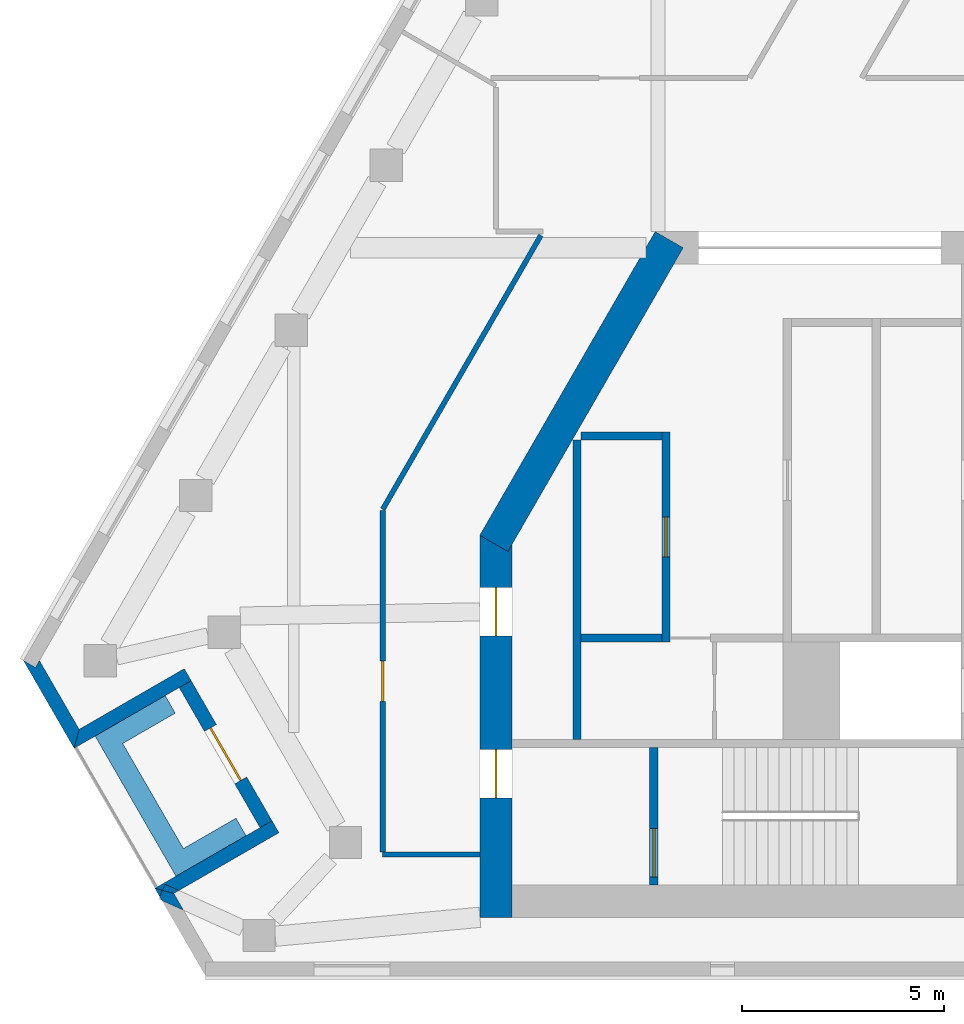
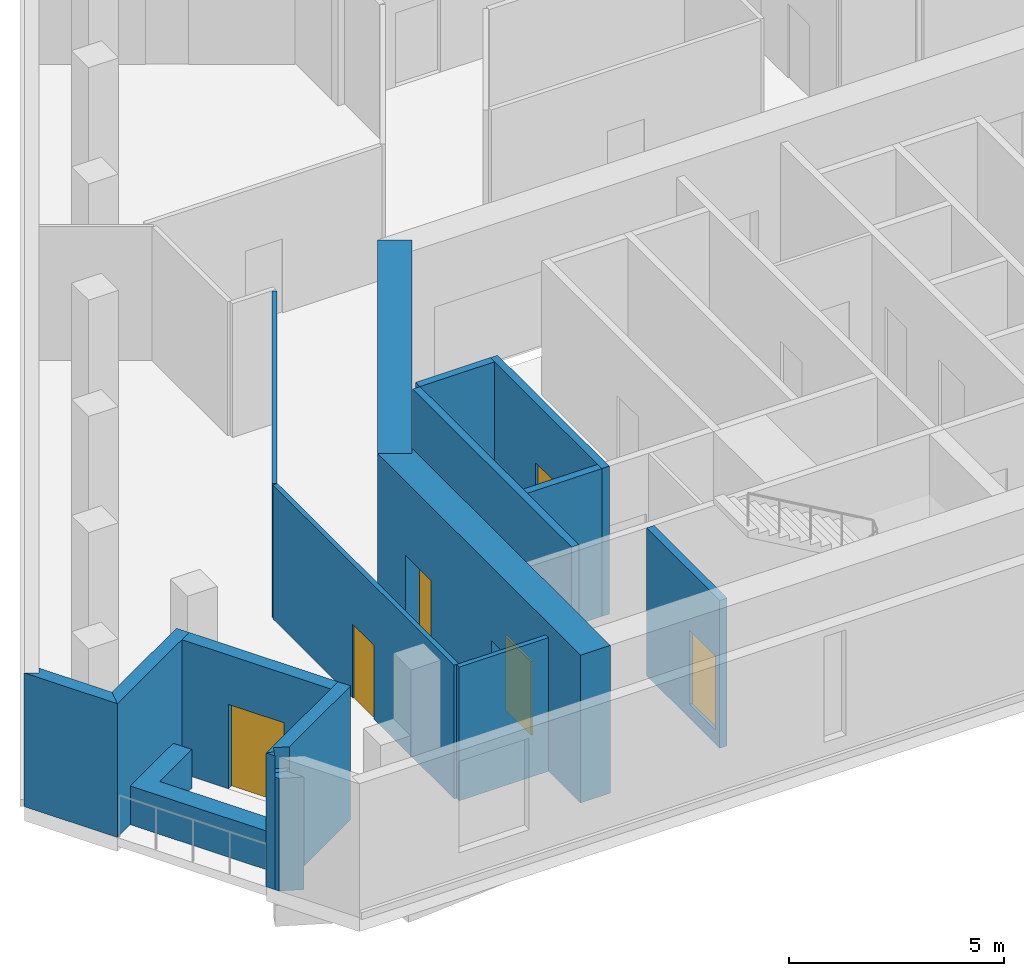
# One storey, part 2 of 8: 18 walls, 6 doors, 6 openings.
"""IFC4 building model written with IfcOpenShell, lengths in metres."""

from ifc_helpers import new_model, si_unit, direction, frame, frame_2d, origin, place, context, subcontext, project, spatial, polyline, rectangle, outline, extrude, material, layer, layer_set, type_object, element, fill, save


model = new_model("IFC4")

# Units and contexts
model_context = context("Model", 3, precision=1e-05, world=origin(), true_north=direction((0.0, 1.0)))
body_context = subcontext(model_context, "Body", "Model", "MODEL_VIEW")
ifc_project = project(units=[si_unit("LENGTHUNIT", "METRE"), si_unit("AREAUNIT", "SQUARE_METRE"), si_unit("VOLUMEUNIT", "CUBIC_METRE"), si_unit("PLANEANGLEUNIT", "RADIAN"), si_unit("MASSUNIT", "GRAM", prefix="KILO")], contexts=[model_context])

# Site, building, storey
site_placement = place(None, origin())
site = spatial("IfcSite", under=ifc_project, at=site_placement, CompositionType="ELEMENT")
building_placement = place(site_placement, origin())
building = spatial("IfcBuilding", under=site, at=building_placement, Name="Fogline Exchange Tower", CompositionType="ELEMENT")
storey_placement = place(building_placement, frame((0.0, 0.0, 309.89990234375)))
storey = spatial("IfcBuildingStorey", under=building, at=storey_placement, Name="L70", CompositionType="ELEMENT", Elevation=309.89990234375)

# Wall
ifc_material_1 = material(Name="Concrete C40", Category="concrete")
ifc_layer_1 = layer(ifc_material_1, 0.199951171875)
ifc_layer_set_1 = layer_set([ifc_layer_1], Name="CW20")
wall_type_1 = type_object("IfcWallType", Name="CW20", PredefinedType="SOLIDWALL", material=ifc_layer_set_1)
wall_1_placement = place(storey_placement, frame((-11.0, 5.85009765625, 0.0), z_axis=(0.0, 0.0, 1.0), x_axis=(0.0, 1.0, 0.0)))
element("IfcWall", 1, at=wall_1_placement, inside=storey, type_object=wall_type_1, Name="Service room wall", PredefinedType="SOLIDWALL", context=body_context, shape_type="SweptSolid", body=[
    extrude(rectangle(XDim=7.39990234375, YDim=0.199951171875, at=frame_2d((3.699951171875, 0.0))), origin(), (0.0, 0.0, 1.0), 3.800048828125),
])

# Wall, opening, door
ifc_layer_2 = layer(ifc_material_1, 0.199951171875)
ifc_layer_set_2 = layer_set([ifc_layer_2], Name="CW20R")
wall_type_2 = type_object("IfcWallType", Name="CW20R", PredefinedType="SOLIDWALL", material=ifc_layer_set_2)
wall_2_placement = place(storey_placement, frame((-9.10009765625, 2.25, -0.39990234375), z_axis=(0.0, 0.0, 1.0), x_axis=(0.0, 1.0, 0.0)))
wall_2 = element("IfcWall", 2, at=wall_2_placement, inside=storey, type_object=wall_type_2, Name="Stair enclosure wall", PredefinedType="SOLIDWALL", context=body_context, shape_type="SweptSolid", body=[
    extrude(rectangle(XDim=3.39990234375, YDim=0.199951171875, at=frame_2d((1.699951171875, 0.0))), origin(), (0.0, 0.0, 1.0), 4.199951171875),
])
opening_1_placement = place(wall_2_placement, frame((0.199951171875, 0.0, 0.39990234375)))
opening_1 = element("IfcOpeningElement", 3, at=opening_1_placement, cuts=wall_2, Name="Opening T22-C010", PredefinedType="OPENING", context=body_context, shape_type="SweptSolid", body=[
    extrude(rectangle(XDim=1.199951171875, YDim=2.10009765625, at=frame_2d((0.60009765625, 1.050048828125))), frame((0.0, 0.10986328125, 0.0), z_axis=(0.0, -1.0, 0.0), x_axis=(1.0, 0.0, 0.0)), (0.0, 0.0, 1.0), 0.219970703125),
])
ifc_material_2 = material(Name="Steel and timber fire door", Category="steel")
door_type_1 = type_object("IfcDoorType", Name="D-ST1", OperationType="SINGLE_SWING_LEFT", PredefinedType="DOOR", material=ifc_material_2)
door_1_placement = place(opening_1_placement, frame((1.199951171875, 0.0, 0.0), z_axis=(0.0, 0.0, 1.0), x_axis=(-1.0, 0.0, 0.0)))
door_1 = element("IfcDoor", 4, at=door_1_placement, inside=storey, type_object=door_type_1, Name="Stair door ST1", OperationType="SINGLE_SWING_RIGHT", OverallHeight=2.10009765625, OverallWidth=1.199951171875, PredefinedType="DOOR", context=body_context, shape_type="SweptSolid", body=[
    extrude(rectangle(XDim=1.199951171875, YDim=2.10009765625, at=frame_2d((0.60009765625, 1.050048828125))), frame((0.0, 0.02490234375, 0.0), z_axis=(0.0, -1.0, 0.0), x_axis=(1.0, 0.0, 0.0)), (0.0, 0.0, 1.0), 0.050048828125),
])
fill(opening_1, door_1)

ifc_layer_3 = layer(ifc_material_1, 0.199951171875)
ifc_layer_set_3 = layer_set([ifc_layer_3], Name="CW20S")
wall_type_3 = type_object("IfcWallType", Name="CW20S", PredefinedType="SOLIDWALL", material=ifc_layer_set_3)
wall_3_placement = place(storey_placement, frame((-8.800048828125, 8.25, -0.39990234375), z_axis=(0.0, 0.0, 1.0), x_axis=(0.0, 1.0, 0.0)))
wall_3 = element("IfcWall", 5, at=wall_3_placement, inside=storey, type_object=wall_type_3, Name="Lift shaft wall", PredefinedType="SOLIDWALL", context=body_context, shape_type="SweptSolid", body=[
    extrude(rectangle(XDim=5.199951171875, YDim=0.199951171875, at=frame_2d((2.60009765625, 0.0))), origin(), (0.0, 0.0, 1.0), 4.199951171875),
])
opening_2_placement = place(wall_3_placement, frame((2.10009765625, 0.0, 0.39990234375)))
opening_2 = element("IfcOpeningElement", 6, at=opening_2_placement, cuts=wall_3, Name="Opening T22-C001", PredefinedType="OPENING", context=body_context, shape_type="SweptSolid", body=[
    extrude(rectangle(XDim=1.0, YDim=2.10009765625, at=frame_2d((0.5, 1.050048828125))), frame((0.0, 0.10986328125, 0.0), z_axis=(0.0, -1.0, 0.0), x_axis=(1.0, 0.0, 0.0)), (0.0, 0.0, 1.0), 0.219970703125),
])
door_type_2 = type_object("IfcDoorType", Name="D-RM1", OperationType="SINGLE_SWING_LEFT", PredefinedType="DOOR", material=ifc_material_2)
door_2_placement = place(opening_2_placement, origin())
door_2 = element("IfcDoor", 7, at=door_2_placement, inside=storey, type_object=door_type_2, Name="Door to Records Room", OperationType="SINGLE_SWING_RIGHT", OverallHeight=2.10009765625, OverallWidth=1.0, PredefinedType="DOOR", context=body_context, shape_type="SweptSolid", body=[
    extrude(rectangle(XDim=1.0, YDim=2.10009765625, at=frame_2d((0.5, 1.050048828125))), frame((0.0, 0.02490234375, 0.0), z_axis=(0.0, -1.0, 0.0), x_axis=(1.0, 0.0, 0.0)), (0.0, 0.0, 1.0), 0.050048828125),
])
fill(opening_2, door_2)

# Walls
for number, where, z_axis, x_axis, name in (
    (8, (-10.89990234375, 8.35009765625, -0.39990234375), (0.0, 0.0, 1.0), (1.0, 0.0, 0.0), "Lift shaft wall"),
    (9, (-10.89990234375, 13.35009765625, -0.39990234375), (0.0, 0.0, 1.0), (1.0, 0.0, 0.0), "Lift shaft wall"),
):
    element("IfcWall", number, at=place(storey_placement, frame(where, z_axis=z_axis, x_axis=x_axis)), inside=storey, type_object=wall_type_3, Name=name, PredefinedType="SOLIDWALL", context=body_context, shape_type="SweptSolid", body=[
        extrude(rectangle(XDim=2.0, YDim=0.199951171875, at=frame_2d((1.0, 0.0))), origin(), (0.0, 0.0, 1.0), 4.199951171875),
    ])
ifc_material_3 = material(Name="Brick masonry", Category="masonry")
ifc_layer_4 = layer(ifc_material_3, 0.340087890625)
ifc_layer_set_4 = layer_set([ifc_layer_4], Name="FW1")
wall_type_4 = type_object("IfcWallType", Name="FW1", PredefinedType="SOLIDWALL", material=ifc_layer_set_4)
wall_4_placement = place(storey_placement, origin())
element("IfcWall", 10, at=wall_4_placement, inside=storey, type_object=wall_type_4, Name="Brick wall L70 SW-c1", PredefinedType="SOLIDWALL", context=body_context, shape_type="SweptSolid", body=[
    extrude(outline(polyline([(-23.4296875, 5.6279296875), (-24.680908203125, 7.794921875), (-24.680419921875, 7.79541015625), (-24.385498046875, 7.625), (-24.287109375, 7.79541015625), (-23.3046875, 6.09375), (-23.429443359375, 5.6279296875), (-23.4296875, 5.6279296875)])), origin(), (0.0, 0.0, 1.0), 3.800048828125),
])
wall_5_placement = place(storey_placement, origin())
element("IfcWall", 11, at=wall_5_placement, inside=storey, type_object=wall_type_4, Name="Brick wall L70 SW-s1", PredefinedType="SOLIDWALL", context=body_context, shape_type="SweptSolid", body=[
    extrude(outline(polyline([(-20.70703125, 7.594482421875), (-20.536376953125, 7.298828125), (-20.831298828125, 7.128662109375), (-23.430419921875, 5.628173828125), (-23.4306640625, 5.62841796875), (-23.305908203125, 6.093994140625), (-20.70703125, 7.594482421875)])), origin(), (0.0, 0.0, 1.0), 3.800048828125),
])

# Wall, opening, door
wall_6_placement = place(storey_placement, frame((-20.6845703125, 7.214111328125, 0.0), z_axis=(0.0, 0.0, 1.0), x_axis=(0.49999894854, -0.866026010844, 0.0)))
wall_6 = element("IfcWall", 12, at=wall_6_placement, inside=storey, type_object=wall_type_4, Name="Brick wall L70 SW-bk", PredefinedType="SOLIDWALL", context=body_context, shape_type="SweptSolid", body=[
    extrude(rectangle(XDim=4.0, YDim=0.340087890625, at=frame_2d((2.0, 0.0))), origin(), (0.0, 0.0, 1.0), 3.800048828125),
])
opening_3_placement = place(wall_6_placement, frame((1.25, 0.0, 0.0)))
opening_3 = element("IfcOpeningElement", 13, at=opening_3_placement, cuts=wall_6, Name="Opening T22-E021", PredefinedType="OPENING", context=body_context, shape_type="SweptSolid", body=[
    extrude(rectangle(XDim=1.5, YDim=2.39990234375, at=frame_2d((0.75, 1.199951171875))), frame((0.0, 0.18017578125, 0.0), z_axis=(0.0, -1.0, 0.0), x_axis=(1.0, 0.0, 0.0)), (0.0, 0.0, 1.0), 0.360107421875),
])
ifc_material_4 = material(Name="Aluminium and glass", Category="aluminium")
door_type_3 = type_object("IfcDoorType", Name="ED4", OperationType="SINGLE_SWING_LEFT", PredefinedType="DOOR", material=ifc_material_4)
door_3_placement = place(opening_3_placement, frame((1.5, 0.0, 0.0), z_axis=(0.0, 0.0, 1.0), x_axis=(-1.0, 0.0, 0.0)))
door_3 = element("IfcDoor", 14, at=door_3_placement, inside=storey, type_object=door_type_3, Name="Balcony door L70 SW", OperationType="DOUBLE_DOOR_SINGLE_SWING", OverallHeight=2.39990234375, OverallWidth=1.5, PredefinedType="DOOR", context=body_context, shape_type="SweptSolid", body=[
    extrude(rectangle(XDim=1.5, YDim=2.39990234375, at=frame_2d((0.75, 1.199951171875))), frame((0.0, 0.02490234375, 0.0), z_axis=(0.0, -1.0, 0.0), x_axis=(1.0, 0.0, 0.0)), (0.0, 0.0, 1.0), 0.050048828125),
])
fill(opening_3, door_3)

# Walls
wall_7_placement = place(storey_placement, origin())
element("IfcWall", 15, at=wall_7_placement, inside=storey, type_object=wall_type_4, Name="Brick wall L70 SW-s2", PredefinedType="SOLIDWALL", context=body_context, shape_type="SweptSolid", body=[
    extrude(outline(polyline([(-20.96533203125, 2.0400390625), (-21.2470703125, 2.115478515625), (-21.1787109375, 2.267333984375), (-20.837890625, 2.113525390625), (-20.96533203125, 2.0400390625)])), origin(), (0.0, 0.0, 1.0), 3.2001953125),
])
wall_8_placement = place(storey_placement, origin())
element("IfcWall", 16, at=wall_8_placement, inside=storey, type_object=wall_type_4, Name="Brick wall L70 SW-s2", PredefinedType="SOLIDWALL", context=body_context, shape_type="SweptSolid", body=[
    extrude(outline(polyline([(-18.83203125, 3.66552734375), (-18.537109375, 3.8359375), (-18.366455078125, 3.540283203125), (-20.837890625, 2.113525390625), (-21.1787109375, 2.267333984375), (-21.2470703125, 2.115478515625), (-21.430908203125, 2.164794921875), (-21.430908203125, 2.1650390625), (-18.83203125, 3.66552734375)])), origin(), (0.0, 0.0, 1.0), 3.800048828125),
])
wall_9_placement = place(storey_placement, origin())
element("IfcWall", 17, at=wall_9_placement, inside=storey, type_object=wall_type_4, Name="Brick wall L70 SW-c2", PredefinedType="SOLIDWALL", context=body_context, shape_type="SweptSolid", body=[
    extrude(outline(polyline([(-21.31494140625, 1.965087890625), (-21.24658203125, 2.11669921875), (-20.96484375, 2.041015625), (-20.723388671875, 1.623046875), (-21.25634765625, 1.863525390625), (-21.31494140625, 1.965087890625)])), origin(), (0.0, 0.0, 1.0), 3.2001953125),
])
wall_10_placement = place(storey_placement, origin())
element("IfcWall", 18, at=wall_10_placement, inside=storey, type_object=wall_type_4, Name="Brick wall L70 SW-c2", PredefinedType="SOLIDWALL", context=body_context, shape_type="SweptSolid", body=[
    extrude(outline(polyline([(-21.430908203125, 2.165771484375), (-21.4306640625, 2.166015625), (-21.24658203125, 2.11669921875), (-21.31494140625, 1.965087890625), (-21.430908203125, 2.165771484375)])), origin(), (0.0, 0.0, 1.0), 3.800048828125),
])
ifc_material_5 = material(Name="Concrete C30", Category="concrete")
ifc_layer_5 = layer(ifc_material_5, 0.199951171875)
ifc_layer_set_5 = layer_set([ifc_layer_5], Name="PL1")
wall_type_5 = type_object("IfcWallType", Name="PL1", PredefinedType="USERDEFINED", material=ifc_layer_set_5)
wall_11_placement = place(storey_placement, origin())
element("IfcWall", 19, at=wall_11_placement, inside=storey, type_object=wall_type_5, Name="PLANTER balcony L70 SW", ObjectType="PLANTER", PredefinedType="USERDEFINED", context=body_context, shape_type="SweptSolid", body=[
    extrude(outline(polyline([(-19.427978515625, 3.898193359375), (-20.727294921875, 3.148193359375), (-22.227294921875, 5.74609375), (-20.927978515625, 6.49609375), (-21.177978515625, 6.92919921875), (-22.91015625, 5.92919921875), (-22.66015625, 5.49609375), (-20.91015625, 2.465087890625), (-20.477294921875, 2.715087890625), (-20.477294921875, 2.715087890625), (-19.177978515625, 3.465087890625), (-19.427978515625, 3.898193359375)])), origin(), (0.0, 0.0, 1.0), 1.10009765625),
])
ifc_material_6 = material(Name="Plasterboard corridor partition with mineral wool, 2 layers each side")
ifc_layer_6 = layer(ifc_material_6, 0.125)
ifc_layer_set_6 = layer_set([ifc_layer_6], Name="PW2")
wall_type_6 = type_object("IfcWallType", Name="PW2", PredefinedType="PARTITIONING", material=ifc_layer_set_6)
wall_12_placement = place(storey_placement, frame((-13.39990234375, 3.0, 0.0), z_axis=(0.0, 0.0, 1.0), x_axis=(-1.0, 0.0, 0.0)))
element("IfcWall", 20, at=wall_12_placement, inside=storey, type_object=wall_type_6, Name="wall-L70-W015", PredefinedType="PARTITIONING", context=body_context, shape_type="SweptSolid", body=[
    extrude(rectangle(XDim=2.400146484375, YDim=0.125, at=frame_2d((1.2001953125, 0.0))), origin(), (0.0, 0.0, 1.0), 3.800048828125),
])

# Wall, opening, door
wall_13_placement = place(storey_placement, frame((-15.800048828125, 3.0625, 0.0), z_axis=(0.0, 0.0, 1.0), x_axis=(0.0, 1.0, 0.0)))
wall_13 = element("IfcWall", 21, at=wall_13_placement, inside=storey, type_object=wall_type_6, Name="wall-L70-W016", PredefinedType="PARTITIONING", context=body_context, shape_type="SweptSolid", body=[
    extrude(rectangle(XDim=8.44140625, YDim=0.125, at=frame_2d((4.220703125, 0.0))), origin(), (0.0, 0.0, 1.0), 3.800048828125),
])
opening_4_placement = place(wall_13_placement, frame((3.720703125, 0.0, 0.0)))
opening_4 = element("IfcOpeningElement", 22, at=opening_4_placement, cuts=wall_13, Name="Opening T22-D006", PredefinedType="OPENING", context=body_context, shape_type="SweptSolid", body=[
    extrude(rectangle(XDim=1.0, YDim=2.10009765625, at=frame_2d((0.5, 1.050048828125))), frame((0.0, 0.072509765625, 0.0), z_axis=(0.0, -1.0, 0.0), x_axis=(1.0, 0.0, 0.0)), (0.0, 0.0, 1.0), 0.14501953125),
])
ifc_material_7 = material(Name="Fire-rated timber door leaf with steel frame", Category="steel")
door_type_4 = type_object("IfcDoorType", Name="D3", OperationType="SINGLE_SWING_LEFT", PredefinedType="DOOR", material=ifc_material_7)
door_4_placement = place(opening_4_placement, origin())
door_4 = element("IfcDoor", 23, at=door_4_placement, inside=storey, type_object=door_type_4, Name="door-L70-D006", OperationType="SINGLE_SWING_LEFT", OverallHeight=2.10009765625, OverallWidth=1.0, PredefinedType="DOOR", context=body_context, shape_type="SweptSolid", body=[
    extrude(rectangle(XDim=1.0, YDim=2.10009765625, at=frame_2d((0.5, 1.050048828125))), frame((0.0, 0.02490234375, 0.0), z_axis=(0.0, -1.0, 0.0), x_axis=(1.0, 0.0, 0.0)), (0.0, 0.0, 1.0), 0.050048828125),
])
fill(opening_4, door_4)

# Walls
wall_14_placement = place(storey_placement, frame((-15.800048828125, 11.534912109375, 0.0), z_axis=(0.0, 0.0, 1.0), x_axis=(0.49999455806, 0.866028545667, 0.0)))
element("IfcWall", 24, at=wall_14_placement, inside=storey, type_object=wall_type_6, Name="wall-L70-W017", PredefinedType="PARTITIONING", context=body_context, shape_type="SweptSolid", body=[
    extrude(rectangle(XDim=7.818359375, YDim=0.125, at=frame_2d((3.9091796875, 0.0))), origin(), (0.0, 0.0, 1.0), 3.800048828125),
])
ifc_material_8 = material(Name="Concrete C50", Category="concrete")
ifc_layer_7 = layer(ifc_material_8, 0.800048828125)
ifc_layer_set_7 = layer_set([ifc_layer_7], Name="SW04")
wall_type_7 = type_object("IfcWallType", Name="SW04", PredefinedType="SHEAR", material=ifc_layer_set_7)
wall_15_placement = place(storey_placement, frame((-8.71875, 18.199951171875, 0.0), z_axis=(0.0, 0.0, 1.0), x_axis=(-0.500015780397, -0.866016292776, 0.0)))
element("IfcWall", 25, at=wall_15_placement, inside=storey, type_object=wall_type_7, Name="L70-W905", PredefinedType="SHEAR", context=body_context, shape_type="SweptSolid", body=[
    extrude(rectangle(XDim=8.669677734375, YDim=0.800048828125, at=frame_2d((4.3349609375, 0.0))), origin(), (0.0, 0.0, 1.0), 4.2001953125),
])

# Wall, openings, doors
wall_16_placement = place(storey_placement, frame((-13.0, 10.891845703125, 0.0), z_axis=(0.0, 0.0, 1.0), x_axis=(0.0, -1.0, 0.0)))
wall_16 = element("IfcWall", 26, at=wall_16_placement, inside=storey, type_object=wall_type_7, Name="L70-W906", PredefinedType="SHEAR", context=body_context, shape_type="SweptSolid", body=[
    extrude(rectangle(XDim=9.44189453125, YDim=0.800048828125, at=frame_2d((4.720947265625, 0.0))), origin(), (0.0, 0.0, 1.0), 4.2001953125),
])
opening_5_placement = place(wall_16_placement, frame((5.291748046875, 0.0, 0.0)))
opening_5 = element("IfcOpeningElement", 27, at=opening_5_placement, cuts=wall_16, Name="Opening T22-C009", PredefinedType="OPENING", context=body_context, shape_type="SweptSolid", body=[
    extrude(rectangle(XDim=1.199951171875, YDim=2.10009765625, at=frame_2d((0.60009765625, 1.050048828125))), frame((0.0, 0.41015625, 0.0), z_axis=(0.0, -1.0, 0.0), x_axis=(1.0, 0.0, 0.0)), (0.0, 0.0, 1.0), 0.820068359375),
])
opening_6_placement = place(wall_16_placement, frame((1.291748046875, 0.0, 0.0)))
opening_6 = element("IfcOpeningElement", 28, at=opening_6_placement, cuts=wall_16, Name="Opening T22-C011", PredefinedType="OPENING", context=body_context, shape_type="SweptSolid", body=[
    extrude(rectangle(XDim=1.199951171875, YDim=2.10009765625, at=frame_2d((0.60009765625, 1.050048828125))), frame((0.0, 0.41015625, 0.0), z_axis=(0.0, -1.0, 0.0), x_axis=(1.0, 0.0, 0.0)), (0.0, 0.0, 1.0), 0.820068359375),
])
door_type_5 = type_object("IfcDoorType", Name="D-FR1", OperationType="SINGLE_SWING_RIGHT", PredefinedType="DOOR", material=ifc_material_2)
door_5_placement = place(opening_5_placement, origin())
door_5 = element("IfcDoor", 29, at=door_5_placement, inside=storey, type_object=door_type_5, Name="Front room door ST1", OperationType="SINGLE_SWING_LEFT", OverallHeight=2.10009765625, OverallWidth=1.199951171875, PredefinedType="DOOR", context=body_context, shape_type="SweptSolid", body=[
    extrude(rectangle(XDim=1.199951171875, YDim=2.10009765625, at=frame_2d((0.60009765625, 1.050048828125))), frame((0.0, 0.02490234375, 0.0), z_axis=(0.0, -1.0, 0.0), x_axis=(1.0, 0.0, 0.0)), (0.0, 0.0, 1.0), 0.050048828125),
])
fill(opening_5, door_5)
door_type_6 = type_object("IfcDoorType", Name="D-SV1", OperationType="SINGLE_SWING_LEFT", PredefinedType="DOOR", material=ifc_material_2)
door_6_placement = place(opening_6_placement, origin())
door_6 = element("IfcDoor", 30, at=door_6_placement, inside=storey, type_object=door_type_6, Name="Service door W", OperationType="SINGLE_SWING_LEFT", OverallHeight=2.10009765625, OverallWidth=1.199951171875, PredefinedType="DOOR", context=body_context, shape_type="SweptSolid", body=[
    extrude(rectangle(XDim=1.199951171875, YDim=2.10009765625, at=frame_2d((0.60009765625, 1.050048828125))), frame((0.0, 0.02490234375, 0.0), z_axis=(0.0, -1.0, 0.0), x_axis=(1.0, 0.0, 0.0)), (0.0, 0.0, 1.0), 0.050048828125),
])
fill(opening_6, door_6)

save(model, "model.ifc")
